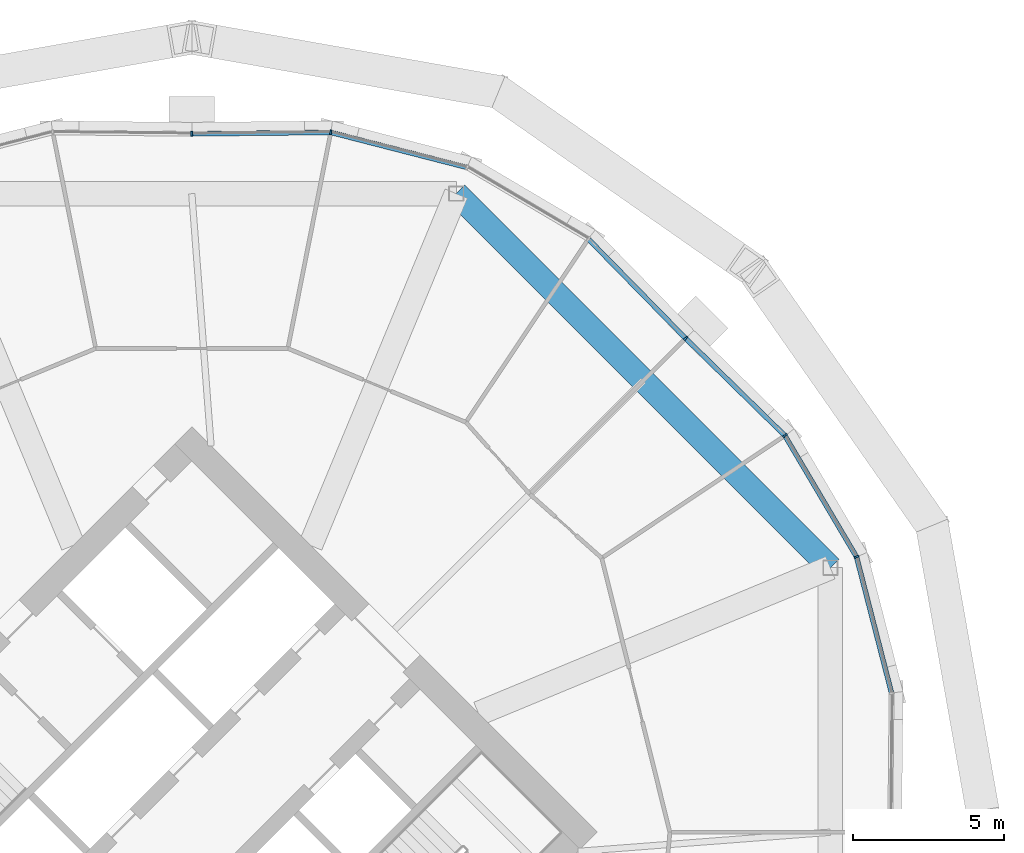
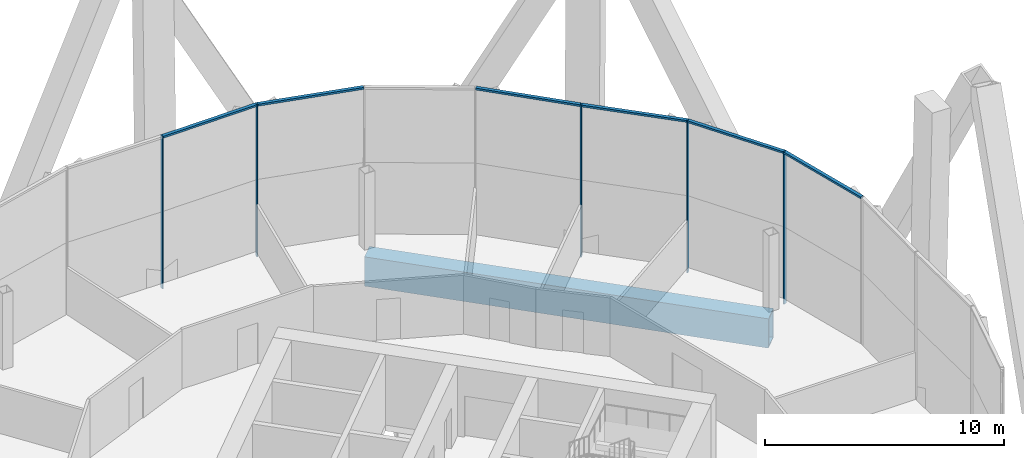
# One storey, part 16 of 31: 11 members, 1 beam, 2 elements without a shape of their own.
"""IFC4 building model written with IfcOpenShell, lengths in metres."""

from ifc_helpers import new_model, si_unit, direction, frame, origin, origin_2d, place, context, subcontext, project, spatial, rectangle, hollow_rectangle, extrude, material, material_profile, profile_set, type_object, element, aggregate, save


model = new_model("IFC4")

# Units and contexts
model_context = context("Model", 3, precision=1e-05, world=origin(), true_north=direction((0.0, 1.0)))
body_context = subcontext(model_context, "Body", "Model", "MODEL_VIEW")
ifc_project = project(units=[si_unit("LENGTHUNIT", "METRE"), si_unit("AREAUNIT", "SQUARE_METRE"), si_unit("VOLUMEUNIT", "CUBIC_METRE"), si_unit("PLANEANGLEUNIT", "RADIAN"), si_unit("MASSUNIT", "GRAM", prefix="KILO")], contexts=[model_context])

# Site, building, storey
site_placement = place(None, origin())
site = spatial("IfcSite", under=ifc_project, at=site_placement, CompositionType="ELEMENT")
building_placement = place(site_placement, origin())
building = spatial("IfcBuilding", under=site, at=building_placement, Name="Ogive Gate Towers", CompositionType="ELEMENT")
storey_placement = place(building_placement, frame((0.0, 0.0, 55.800048828125)))
storey = spatial("IfcBuildingStorey", under=building, at=storey_placement, Name="L12", CompositionType="ELEMENT", Elevation=55.800048828125)

# Beam
ifc_material_1 = material(Name="Steel SM460", Category="steel")
ifc_material_profile_1 = material_profile(ifc_material_1, hollow_rectangle(XDim=0.800048828125, YDim=1.5, WallThickness=0.06005859375, at=origin_2d()), Name="BX 1500x800x60")
ifc_profile_set_1 = profile_set([ifc_material_profile_1], Name="Steel SM460")
beam_type = type_object("IfcBeamType", Name="Edge girder BX 1500x800x60", PredefinedType="BEAM", material=ifc_profile_set_1)
beam_placement = place(storey_placement, frame((57.15673828125, 8.763427734375, -1.050048828125), z_axis=(-0.707106781187, 0.707106781187, 0.0), x_axis=(-0.707106781187, -0.707106781187, 0.0)))
element("IfcBeam", 1, at=beam_placement, inside=storey, type_object=beam_type, Name="T2/L12/SBM021", PredefinedType="BEAM", context=body_context, shape_type="SweptSolid", body=[
    extrude(hollow_rectangle(XDim=0.800048828125, YDim=1.5, WallThickness=0.06005859375, at=origin_2d()), origin(), (0.0, 0.0, 1.0), 17.52685546875),
])

# Curtain wall, members
ifc_material_2 = material(Name="Pale metal aluminium", Category="aluminium")
curtain_wall_type = type_object("IfcCurtainWallType", Name="Tower unitised wall, low zone", PredefinedType="NOTDEFINED", material=ifc_material_2)
curtain_wall_1_placement = place(storey_placement, origin())
curtain_wall_1 = element("IfcCurtainWall", 2, at=curtain_wall_1_placement, inside=storey, type_object=curtain_wall_type, Name="CW1 T2 ECW01", PredefinedType="NOTDEFINED")
ifc_material_profile_2 = material_profile(ifc_material_2, rectangle(XDim=0.159912109375, YDim=0.06005859375, at=origin_2d()), Name="60 x 160 aluminium box")
ifc_profile_set_2 = profile_set([ifc_material_profile_2], Name="Pale metal aluminium")
member_type_1 = type_object("IfcMemberType", Name="Tower unitised wall, low zone mullion 60 x 160", PredefinedType="MULLION", material=ifc_profile_set_2)
member_1_placement = place(storey_placement, frame((58.026123046875, 9.12353515625, -0.300048828125), z_axis=(0.0, 0.0, 1.0), x_axis=(0.923879532511, 0.382683432365, 0.0)))
member_1 = element("IfcMember", 3, at=member_1_placement, type_object=member_type_1, Name="CW1 mullion", PredefinedType="MULLION", context=body_context, shape_type="SweptSolid", body=[
    extrude(rectangle(XDim=0.159912109375, YDim=0.06005859375, at=origin_2d()), origin(), (0.0, 0.0, 1.0), 7.800048828125),
])
member_2_placement = place(storey_placement, frame((55.653076171875, 13.13916015625, -0.300048828125), z_axis=(0.0, 0.0, 1.0), x_axis=(0.787085768775, 0.616843572223, 0.0)))
member_2 = element("IfcMember", 4, at=member_2_placement, type_object=member_type_1, Name="CW1 mullion", PredefinedType="MULLION", context=body_context, shape_type="SweptSolid", body=[
    extrude(rectangle(XDim=0.159912109375, YDim=0.06005859375, at=origin_2d()), origin(), (0.0, 0.0, 1.0), 7.800048828125),
])
member_3_placement = place(storey_placement, frame((52.362548828125, 16.3623046875, -0.300048828125), z_axis=(0.0, 0.0, 1.0), x_axis=(0.699788028863, 0.714350554462, 0.0)))
member_3 = element("IfcMember", 5, at=member_3_placement, type_object=member_type_1, Name="CW1 mullion", PredefinedType="MULLION", context=body_context, shape_type="SweptSolid", body=[
    extrude(rectangle(XDim=0.159912109375, YDim=0.06005859375, at=origin_2d()), origin(), (0.0, 0.0, 1.0), 7.800048828125),
])

curtain_wall_2_placement = place(storey_placement, origin())
curtain_wall_2 = element("IfcCurtainWall", 6, at=curtain_wall_2_placement, inside=storey, type_object=curtain_wall_type, Name="CW1 T2 ECW02", PredefinedType="NOTDEFINED")
member_4_placement = place(storey_placement, frame((40.606201171875, 23.1875, -0.300048828125), z_axis=(0.0, 0.0, 1.0), x_axis=(0.120379411626, 0.992727957326, 0.0)))
member_4 = element("IfcMember", 7, at=member_4_placement, type_object=member_type_1, Name="CW1 mullion", PredefinedType="MULLION", context=body_context, shape_type="SweptSolid", body=[
    extrude(rectangle(XDim=0.159912109375, YDim=0.06005859375, at=origin_2d()), origin(), (0.0, 0.0, 1.0), 7.800048828125),
])
member_5_placement = place(storey_placement, frame((36.000244140625, 23.139892578125, -0.300048828125), z_axis=(0.0, 0.0, 1.0), x_axis=(-0.010279808233, 0.999947161375, 0.0)))
member_5 = element("IfcMember", 8, at=member_5_placement, type_object=member_type_1, Name="CW1 mullion", PredefinedType="MULLION", context=body_context, shape_type="SweptSolid", body=[
    extrude(rectangle(XDim=0.159912109375, YDim=0.06005859375, at=origin_2d()), origin(), (0.0, 0.0, 1.0), 7.800048828125),
])

# Member
ifc_material_profile_3 = material_profile(ifc_material_2, rectangle(XDim=0.159912109375, YDim=0.10009765625, at=origin_2d()), Name="100 x 160 aluminium box")
ifc_profile_set_3 = profile_set([ifc_material_profile_3], Name="Pale metal aluminium")
member_type_2 = type_object("IfcMemberType", Name="Tower unitised wall, low zone transom 100 x 160", PredefinedType="USERDEFINED", material=ifc_profile_set_3)
member_6_placement = place(storey_placement, frame((59.1806640625, 4.632568359375, 7.449951171875), z_axis=(-0.249022588577, 0.968497677012, 0.0), x_axis=(-0.968497677012, -0.249022588577, 0.0)))
member_6 = element("IfcMember", 9, at=member_6_placement, type_object=member_type_2, Name="CW1 transom", ObjectType="TRANSOM", PredefinedType="USERDEFINED", context=body_context, shape_type="SweptSolid", body=[
    extrude(rectangle(XDim=0.159912109375, YDim=0.10009765625, at=origin_2d()), origin(), (0.0, 0.0, 1.0), 4.60986328125),
])

member_7_placement = place(storey_placement, frame((58.01220703125, 9.14697265625, 7.449951171875), z_axis=(-0.508798898164, 0.860885405398, 0.0), x_axis=(-0.860885405398, -0.508798898164, 0.0)))
member_7 = element("IfcMember", 10, at=member_7_placement, type_object=member_type_2, Name="CW1 transom", ObjectType="TRANSOM", PredefinedType="USERDEFINED", context=body_context, shape_type="SweptSolid", body=[
    extrude(rectangle(XDim=0.159912109375, YDim=0.10009765625, at=origin_2d()), origin(), (0.0, 0.0, 1.0), 4.60986328125),
])

member_8_placement = place(storey_placement, frame((55.63330078125, 13.158203125, 7.449951171875), z_axis=(-0.714342153972, 0.699796604064, 0.0), x_axis=(-0.699796604064, -0.714342153972, 0.0)))
member_8 = element("IfcMember", 11, at=member_8_placement, type_object=member_type_2, Name="CW1 transom", ObjectType="TRANSOM", PredefinedType="USERDEFINED", context=body_context, shape_type="SweptSolid", body=[
    extrude(rectangle(XDim=0.159912109375, YDim=0.10009765625, at=origin_2d()), origin(), (0.0, 0.0, 1.0), 4.548583984375),
])

aggregate(curtain_wall_1, [member_1, member_6, member_2, member_7, member_3, member_8])

member_9_placement = place(storey_placement, frame((52.34130859375, 16.384033203125, 7.449951171875), z_axis=(-0.699796604064, 0.714342153972, 0.0), x_axis=(-0.714342153972, -0.699796604064, 0.0)))
member_9 = element("IfcMember", 12, at=member_9_placement, type_object=member_type_2, Name="CW1 transom", ObjectType="TRANSOM", PredefinedType="USERDEFINED", context=body_context, shape_type="SweptSolid", body=[
    extrude(rectangle(XDim=0.159912109375, YDim=0.10009765625, at=origin_2d()), origin(), (0.0, 0.0, 1.0), 4.548583984375),
])

member_10_placement = place(storey_placement, frame((45.09716796875, 22.03271484375, 7.449951171875), z_axis=(-0.968497677012, 0.249022588577, 0.0), x_axis=(-0.249022588577, -0.968497677012, 0.0)))
member_10 = element("IfcMember", 13, at=member_10_placement, type_object=member_type_2, Name="CW1 transom", ObjectType="TRANSOM", PredefinedType="USERDEFINED", context=body_context, shape_type="SweptSolid", body=[
    extrude(rectangle(XDim=0.159912109375, YDim=0.10009765625, at=origin_2d()), origin(), (0.0, 0.0, 1.0), 4.60986328125),
])

member_11_placement = place(storey_placement, frame((40.57861328125, 23.18701171875, 7.449951171875), z_axis=(-0.999947449507, -0.010251742504, 0.0), x_axis=(0.010251742504, -0.999947449507, 0.0)))
member_11 = element("IfcMember", 14, at=member_11_placement, type_object=member_type_2, Name="CW1 transom", ObjectType="TRANSOM", PredefinedType="USERDEFINED", context=body_context, shape_type="SweptSolid", body=[
    extrude(rectangle(XDim=0.159912109375, YDim=0.10009765625, at=origin_2d()), origin(), (0.0, 0.0, 1.0), 4.548583984375),
])

aggregate(curtain_wall_2, [member_9, member_4, member_10, member_5, member_11])

save(model, "model.ifc")
